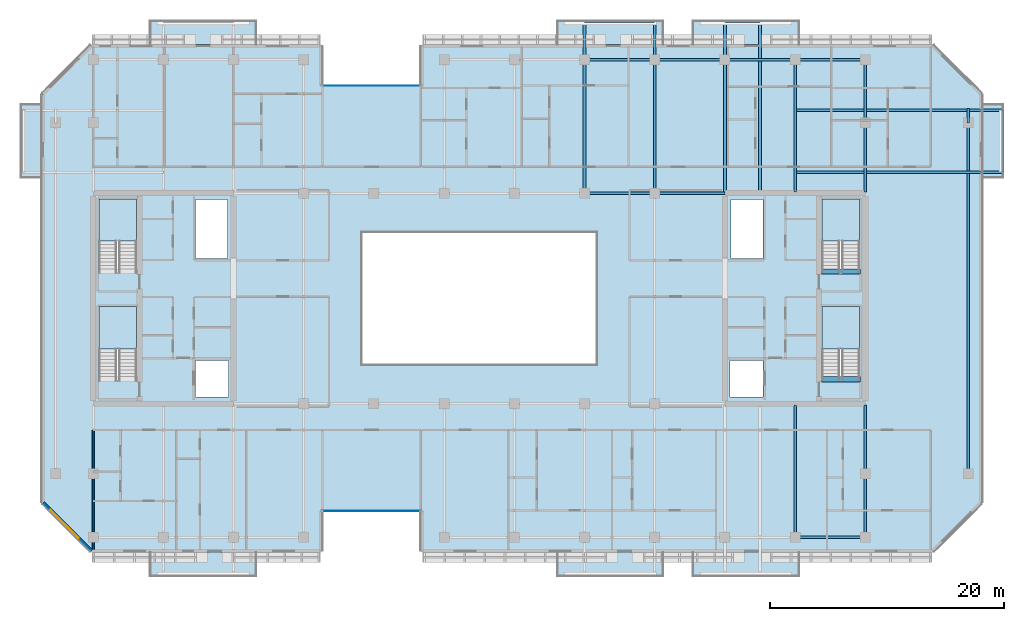
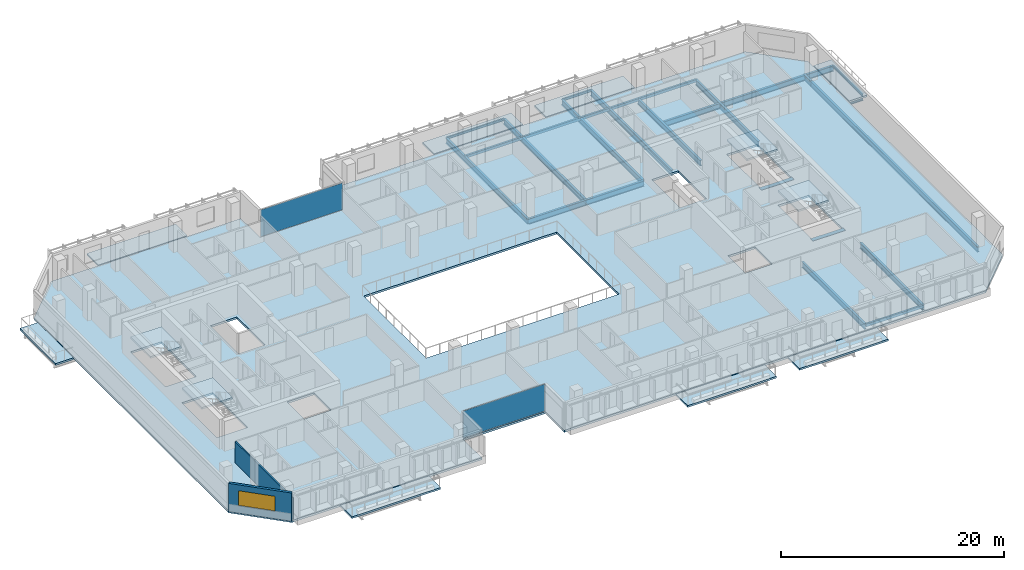
# One storey, part 8 of 21: 24 beams, 13 slabs, 2 plates, 2 walls, 1 window, 1 opening, 6 elements without a shape of their own.
"""IFC4 building model written with IfcOpenShell, lengths in metres."""

from ifc_helpers import new_model, si_unit, direction, frame, frame_2d, origin, origin_2d, place, context, subcontext, project, spatial, polyline, rectangle, hollow_rectangle, i_section, outline, extrude, material, layer, layer_set, material_profile, profile_set, type_object, element, fill, aggregate, save


model = new_model("IFC4")

# Units and contexts
model_context = context("Model", 3, precision=1e-05, world=origin(), true_north=direction((0.0, 1.0)))
body_context = subcontext(model_context, "Body", "Model", "MODEL_VIEW")
ifc_project = project(units=[si_unit("LENGTHUNIT", "METRE"), si_unit("AREAUNIT", "SQUARE_METRE"), si_unit("VOLUMEUNIT", "CUBIC_METRE"), si_unit("PLANEANGLEUNIT", "RADIAN"), si_unit("MASSUNIT", "GRAM", prefix="KILO")], contexts=[model_context])

# Site, building, storey
site_placement = place(None, origin())
site = spatial("IfcSite", under=ifc_project, at=site_placement, CompositionType="ELEMENT")
building_placement = place(site_placement, origin())
building = spatial("IfcBuilding", under=site, at=building_placement, Name="Tanjung Sevakor Pilgrim Tower", CompositionType="ELEMENT")
storey_placement = place(building_placement, frame((0.0, 0.0, 145.199951171875)))
storey = spatial("IfcBuildingStorey", under=building, at=storey_placement, Name="L40", CompositionType="ELEMENT", Elevation=145.199951171875)

# Beams
ifc_material_1 = material(Name="Steel S355J2", Category="steel")
ifc_material_profile_1 = material_profile(ifc_material_1, i_section(OverallWidth=0.230224609375, OverallDepth=0.6171875, WebThickness=0.01318359375, FlangeThickness=0.022216796875, FilletRadius=0.0126953125, at=origin_2d()))
ifc_profile_set_1 = profile_set([ifc_material_profile_1], Name="Steel S355J2")
beam_type_1 = type_object("IfcBeamType", Name="BM-B-G3-UB_610x229x140", PredefinedType="BEAM", material=ifc_profile_set_1)
for number, where, z_axis, x_axis, name in (
    (1, (66.0, 42.60009765625, -0.528564453125), (1.0, 0.0, 0.0), (0.0, 1.0, 0.0), "L40 Primary Floor Girder MAIN Y426-06"),
    (2, (72.0, 42.60009765625, -0.528564453125), (1.0, 0.0, 0.0), (0.0, 1.0, 0.0), "L40 Primary Floor Girder MAIN Y426-07"),
):
    element("IfcBeam", number, at=place(storey_placement, frame(where, z_axis=z_axis, x_axis=x_axis)), inside=storey, type_object=beam_type_1, Name=name, PredefinedType="BEAM", context=body_context, shape_type="SweptSolid", body=[
        extrude(i_section(OverallWidth=0.230224609375, OverallDepth=0.6171875, WebThickness=0.01318359375, FlangeThickness=0.022216796875, FilletRadius=0.0126953125, at=origin_2d()), origin(), (0.0, 0.0, 1.0), 6.0),
    ])
ifc_material_2 = material(Name="Steel S355J2", Category="steel")
ifc_material_profile_2 = material_profile(ifc_material_2, i_section(OverallWidth=0.22900390625, OverallDepth=0.6123046875, WebThickness=0.011962890625, FlangeThickness=0.01953125, FilletRadius=0.0126953125, at=origin_2d()))
ifc_profile_set_2 = profile_set([ifc_material_profile_2], Name="Steel S355J2")
beam_type_2 = type_object("IfcBeamType", Name="BM-B-G4-UB_610x229x125", PredefinedType="BEAM", material=ifc_profile_set_2)
beam_1_placement = place(storey_placement, frame((98.800048828125, 18.60009765625, -0.526123046875), z_axis=(0.0, 1.0, 0.0), x_axis=(-1.0, 0.0, 0.0)))
element("IfcBeam", 3, at=beam_1_placement, inside=storey, type_object=beam_type_2, Name="L40 Short-End Edge Girder E", PredefinedType="BEAM", context=body_context, shape_type="SweptSolid", body=[
    extrude(i_section(OverallWidth=0.22900390625, OverallDepth=0.6123046875, WebThickness=0.011962890625, FlangeThickness=0.01953125, FilletRadius=0.0126953125, at=origin_2d()), origin(), (0.0, 0.0, 1.0), 30.0),
])
beam_2_placement = place(storey_placement, frame((98.800048828125, 48.60009765625, -0.526123046875), z_axis=(0.0, 1.0, 0.0), x_axis=(-1.0, 0.0, 0.0)))
element("IfcBeam", 4, at=beam_2_placement, inside=storey, type_object=beam_type_2, Name="L40 Short-End Edge Extension N-E", PredefinedType="BEAM", context=body_context, shape_type="SweptSolid", body=[
    extrude(i_section(OverallWidth=0.22900390625, OverallDepth=0.6123046875, WebThickness=0.011962890625, FlangeThickness=0.01953125, FilletRadius=0.0126953125, at=origin_2d()), origin(), (0.0, 0.0, 1.0), 1.25),
])
for number, where, z_axis, x_axis, name in (
    (5, (84.0, 44.39990234375, -0.526123046875), (1.0, 0.0, 0.0), (0.0, 1.0, 0.0), "L40 Balcony Overhanging Beam MAIN-E1-1"),
    (6, (84.0, 49.699951171875, -0.526123046875), (1.0, 0.0, 0.0), (0.0, 1.0, 0.0), "L40 Balcony Overhanging Beam MAIN-E1-2"),
):
    element("IfcBeam", number, at=place(storey_placement, frame(where, z_axis=z_axis, x_axis=x_axis)), inside=storey, type_object=beam_type_2, Name=name, PredefinedType="BEAM", context=body_context, shape_type="SweptSolid", body=[
        extrude(i_section(OverallWidth=0.22900390625, OverallDepth=0.6123046875, WebThickness=0.011962890625, FlangeThickness=0.01953125, FilletRadius=0.0126953125, at=origin_2d()), origin(), (0.0, 0.0, 1.0), 17.72998046875),
    ])
for number, where, z_axis, x_axis, name in (
    (7, (66.0, 42.60009765625, -0.526123046875), (0.0, 1.0, 0.0), (-1.0, 0.0, 0.0), "L40 Balcony Cantilever Beam MAIN-N2-1"),
    (8, (72.0, 42.60009765625, -0.526123046875), (0.0, 1.0, 0.0), (-1.0, 0.0, 0.0), "L40 Balcony Cantilever Beam MAIN-N2-2"),
):
    element("IfcBeam", number, at=place(storey_placement, frame(where, z_axis=z_axis, x_axis=x_axis)), inside=storey, type_object=beam_type_2, Name=name, PredefinedType="BEAM", context=body_context, shape_type="SweptSolid", body=[
        extrude(i_section(OverallWidth=0.22900390625, OverallDepth=0.6123046875, WebThickness=0.011962890625, FlangeThickness=0.01953125, FilletRadius=0.0126953125, at=origin_2d()), origin(), (0.0, 0.0, 1.0), 14.679931640625),
    ])
for number, where, z_axis, x_axis, name in (
    (9, (78.0, 42.715087890625, -0.526123046875), (0.0, 1.0, 0.0), (-1.0, 0.0, 0.0), "L40 Balcony Cantilever Beam MAIN-N3-1"),
    (10, (81.0, 42.715087890625, -0.526123046875), (0.0, 1.0, 0.0), (-1.0, 0.0, 0.0), "L40 Balcony Cantilever Beam MAIN-N3-2"),
):
    element("IfcBeam", number, at=place(storey_placement, frame(where, z_axis=z_axis, x_axis=x_axis)), inside=storey, type_object=beam_type_2, Name=name, PredefinedType="BEAM", context=body_context, shape_type="SweptSolid", body=[
        extrude(i_section(OverallWidth=0.22900390625, OverallDepth=0.6123046875, WebThickness=0.011962890625, FlangeThickness=0.01953125, FilletRadius=0.0126953125, at=origin_2d()), origin(), (0.0, 0.0, 1.0), 14.56494140625),
    ])
for number, where, z_axis, x_axis, name in (
    (11, (84.0, 13.199951171875, -0.526123046875), (0.0, 1.0, 0.0), (-1.0, 0.0, 0.0), "L40 MAIN Girder 011"),
    (12, (84.0, 42.715087890625, -0.526123046875), (0.0, 1.0, 0.0), (-1.0, 0.0, 0.0), "L40 MAIN Girder 012"),
    (13, (90.0, 13.199951171875, -0.526123046875), (0.0, 1.0, 0.0), (-1.0, 0.0, 0.0), "L40 MAIN Girder 013"),
    (14, (90.0, 42.715087890625, -0.526123046875), (0.0, 1.0, 0.0), (-1.0, 0.0, 0.0), "L40 MAIN Girder 014"),
):
    element("IfcBeam", number, at=place(storey_placement, frame(where, z_axis=z_axis, x_axis=x_axis)), inside=storey, type_object=beam_type_2, Name=name, PredefinedType="BEAM", context=body_context, shape_type="SweptSolid", body=[
        extrude(i_section(OverallWidth=0.22900390625, OverallDepth=0.6123046875, WebThickness=0.011962890625, FlangeThickness=0.01953125, FilletRadius=0.0126953125, at=origin_2d()), origin(), (0.0, 0.0, 1.0), 11.284912109375),
    ])
ifc_material_3 = material(Name="Steel S355J2", Category="steel")
ifc_material_profile_3 = material_profile(ifc_material_3, i_section(OverallWidth=0.146484375, OverallDepth=0.256103515625, WebThickness=0.00634765625, FlangeThickness=0.010986328125, FilletRadius=0.007568359375, at=origin_2d()))
ifc_profile_set_3 = profile_set([ifc_material_profile_3], Name="Steel S355J2")
beam_type_3 = type_object("IfcBeamType", Name="BM-B-J6-UB_254x146x37", PredefinedType="JOIST", material=ifc_profile_set_3)
beam_3_placement = place(storey_placement, frame((66.0, 57.280029296875, -0.327880859375), z_axis=(1.0, 0.0, 0.0), x_axis=(0.0, 1.0, 0.0)))
element("IfcBeam", 15, at=beam_3_placement, inside=storey, type_object=beam_type_3, Name="L40 Balcony Rim Tie MAIN-N2", PredefinedType="JOIST", context=body_context, shape_type="SweptSolid", body=[
    extrude(i_section(OverallWidth=0.146484375, OverallDepth=0.256103515625, WebThickness=0.00634765625, FlangeThickness=0.010986328125, FilletRadius=0.007568359375, at=origin_2d()), origin(), (0.0, 0.0, 1.0), 6.0),
])
beam_4_placement = place(storey_placement, frame((78.0, 57.280029296875, -0.327880859375), z_axis=(1.0, 0.0, 0.0), x_axis=(0.0, 1.0, 0.0)))
element("IfcBeam", 16, at=beam_4_placement, inside=storey, type_object=beam_type_3, Name="L40 Balcony Rim Tie MAIN-N3", PredefinedType="JOIST", context=body_context, shape_type="SweptSolid", body=[
    extrude(i_section(OverallWidth=0.146484375, OverallDepth=0.256103515625, WebThickness=0.00634765625, FlangeThickness=0.010986328125, FilletRadius=0.007568359375, at=origin_2d()), origin(), (0.0, 0.0, 1.0), 3.0),
])
beam_5_placement = place(storey_placement, frame((101.72998046875, 44.39990234375, -0.327880859375), z_axis=(0.0, 1.0, 0.0), x_axis=(-1.0, 0.0, 0.0)))
element("IfcBeam", 17, at=beam_5_placement, inside=storey, type_object=beam_type_3, Name="L40 Balcony Rim Tie MAIN-E1", PredefinedType="JOIST", context=body_context, shape_type="SweptSolid", body=[
    extrude(i_section(OverallWidth=0.146484375, OverallDepth=0.256103515625, WebThickness=0.00634765625, FlangeThickness=0.010986328125, FilletRadius=0.007568359375, at=origin_2d()), origin(), (0.0, 0.0, 1.0), 5.300048828125),
])
ifc_material_4 = material(Name="Concrete C60/75", Category="concrete")
ifc_material_profile_4 = material_profile(ifc_material_4, rectangle(XDim=0.449951171875, YDim=0.699951171875, at=origin_2d()))
ifc_profile_set_4 = profile_set([ifc_material_profile_4], Name="Concrete C60/75")
beam_type_4 = type_object("IfcBeamType", Name="BM-B-LN3-RC-BM_450x700", PredefinedType="LINTEL", material=ifc_profile_set_4)
for number, where, z_axis, x_axis, name in (
    (18, (86.199951171875, 26.699951171875, -0.349853515625), (1.0, 0.0, 0.0), (0.0, 1.0, 0.0), "L40 TS-E1 Stair Threshold Beam"),
    (19, (86.199951171875, 35.89990234375, -0.349853515625), (1.0, 0.0, 0.0), (0.0, 1.0, 0.0), "L40 TS-E2 Stair Threshold Beam"),
):
    element("IfcBeam", number, at=place(storey_placement, frame(where, z_axis=z_axis, x_axis=x_axis)), inside=storey, type_object=beam_type_4, Name=name, PredefinedType="LINTEL", context=body_context, shape_type="SweptSolid", body=[
        extrude(rectangle(XDim=0.449951171875, YDim=0.699951171875, at=origin_2d()), origin(), (0.0, 0.0, 1.0), 3.400146484375),
    ])
ifc_material_5 = material(Name="Steel S355J2", Category="steel")
ifc_material_profile_5 = material_profile(ifc_material_5, hollow_rectangle(XDim=0.199951171875, YDim=0.300048828125, WallThickness=0.012451171875, at=origin_2d()))
ifc_profile_set_5 = profile_set([ifc_material_profile_5], Name="Steel S355J2")
beam_type_5 = type_object("IfcBeamType", Name="BM-B-SP3-RHS_300x200x12.5", PredefinedType="SPANDREL", material=ifc_profile_set_5)
for number, where, z_axis, x_axis, name in (
    (20, (66.0, 54.0, -0.369873046875), (1.0, 0.0, 0.0), (0.0, 1.0, 0.0), "L40 Spandrel MAIN N-12"),
    (21, (72.0, 54.0, -0.369873046875), (1.0, 0.0, 0.0), (0.0, 1.0, 0.0), "L40 Spandrel MAIN N-14"),
    (22, (78.0, 54.0, -0.369873046875), (1.0, 0.0, 0.0), (0.0, 1.0, 0.0), "L40 Spandrel MAIN N-16"),
    (23, (84.0, 13.199951171875, -0.369873046875), (1.0, 0.0, 0.0), (0.0, 1.0, 0.0), "L40 Spandrel MAIN S-17"),
    (24, (84.0, 54.0, -0.369873046875), (1.0, 0.0, 0.0), (0.0, 1.0, 0.0), "L40 Spandrel MAIN N-18"),
):
    element("IfcBeam", number, at=place(storey_placement, frame(where, z_axis=z_axis, x_axis=x_axis)), inside=storey, type_object=beam_type_5, Name=name, PredefinedType="SPANDREL", context=body_context, shape_type="SweptSolid", body=[
        extrude(hollow_rectangle(XDim=0.199951171875, YDim=0.300048828125, WallThickness=0.012451171875, at=origin_2d()), origin(), (0.0, 0.0, 1.0), 6.0),
    ])

# Slabs
ifc_material_6 = material(Name="Concrete C40/50", Category="concrete")
ifc_layer_1 = layer(ifc_material_6, 0.199951171875)
ifc_layer_set_1 = layer_set([ifc_layer_1], Name="SL-BAL-200")
slab_type_1 = type_object("IfcSlabType", Name="SL-BAL-200", PredefinedType="FLOOR", material=ifc_layer_set_1)
slab_1_placement = place(storey_placement, frame((0.0, 0.0, -0.199951171875)))
element("IfcSlab", 25, at=slab_1_placement, inside=storey, type_object=slab_type_1, Name="L40 Planted Loggia Balcony MAIN-S1", PredefinedType="FLOOR", context=body_context, shape_type="SweptSolid", body=[
    extrude(outline(polyline([(28.800048828125, 9.800048828125), (38.0, 9.800048828125), (38.0, 11.89990234375), (28.800048828125, 11.89990234375), (28.800048828125, 9.800048828125)])), origin(), (0.0, 0.0, 1.0), 0.199951171875),
])
slab_2_placement = place(storey_placement, frame((0.0, 0.0, -0.199951171875)))
element("IfcSlab", 26, at=slab_2_placement, inside=storey, type_object=slab_type_1, Name="L40 Planted Loggia Balcony MAIN-N1", PredefinedType="FLOOR", context=body_context, shape_type="SweptSolid", body=[
    extrude(outline(polyline([(28.800048828125, 55.300048828125), (38.0, 55.300048828125), (38.0, 57.39990234375), (28.800048828125, 57.39990234375), (28.800048828125, 55.300048828125)])), origin(), (0.0, 0.0, 1.0), 0.199951171875),
])
slab_3_placement = place(storey_placement, frame((0.0, 0.0, -0.199951171875)))
element("IfcSlab", 27, at=slab_3_placement, inside=storey, type_object=slab_type_1, Name="L40 Planted Loggia Balcony MAIN-S2", PredefinedType="FLOOR", context=body_context, shape_type="SweptSolid", body=[
    extrude(outline(polyline([(63.60009765625, 9.800048828125), (72.800048828125, 9.800048828125), (72.800048828125, 11.89990234375), (63.60009765625, 11.89990234375), (63.60009765625, 9.800048828125)])), origin(), (0.0, 0.0, 1.0), 0.199951171875),
])
slab_4_placement = place(storey_placement, frame((0.0, 0.0, -0.199951171875)))
element("IfcSlab", 28, at=slab_4_placement, inside=storey, type_object=slab_type_1, Name="L40 Planted Loggia Balcony MAIN-N2", PredefinedType="FLOOR", context=body_context, shape_type="SweptSolid", body=[
    extrude(outline(polyline([(63.60009765625, 55.300048828125), (72.800048828125, 55.300048828125), (72.800048828125, 57.39990234375), (63.60009765625, 57.39990234375), (63.60009765625, 55.300048828125)])), origin(), (0.0, 0.0, 1.0), 0.199951171875),
])
slab_5_placement = place(storey_placement, frame((0.0, 0.0, -0.199951171875)))
element("IfcSlab", 29, at=slab_5_placement, inside=storey, type_object=slab_type_1, Name="L40 Planted Loggia Balcony MAIN-S3", PredefinedType="FLOOR", context=body_context, shape_type="SweptSolid", body=[
    extrude(outline(polyline([(75.199951171875, 9.800048828125), (84.39990234375, 9.800048828125), (84.39990234375, 11.89990234375), (75.199951171875, 11.89990234375), (75.199951171875, 9.800048828125)])), origin(), (0.0, 0.0, 1.0), 0.199951171875),
])
slab_6_placement = place(storey_placement, frame((0.0, 0.0, -0.199951171875)))
element("IfcSlab", 30, at=slab_6_placement, inside=storey, type_object=slab_type_1, Name="L40 Planted Loggia Balcony MAIN-N3", PredefinedType="FLOOR", context=body_context, shape_type="SweptSolid", body=[
    extrude(outline(polyline([(75.199951171875, 55.300048828125), (84.39990234375, 55.300048828125), (84.39990234375, 57.39990234375), (75.199951171875, 57.39990234375), (75.199951171875, 55.300048828125)])), origin(), (0.0, 0.0, 1.0), 0.199951171875),
])
slab_7_placement = place(storey_placement, frame((0.0, 0.0, -0.199951171875)))
element("IfcSlab", 31, at=slab_7_placement, inside=storey, type_object=slab_type_1, Name="L40 Planted Loggia Balcony MAIN-W1", PredefinedType="FLOOR", context=body_context, shape_type="SweptSolid", body=[
    extrude(outline(polyline([(17.75, 43.85009765625), (19.60009765625, 43.85009765625), (19.60009765625, 50.25), (17.75, 50.25), (17.75, 43.85009765625)])), origin(), (0.0, 0.0, 1.0), 0.199951171875),
])
slab_8_placement = place(storey_placement, frame((0.0, 0.0, -0.199951171875)))
element("IfcSlab", 32, at=slab_8_placement, inside=storey, type_object=slab_type_1, Name="L40 Planted Loggia Balcony MAIN-E1", PredefinedType="FLOOR", context=body_context, shape_type="SweptSolid", body=[
    extrude(outline(polyline([(100.0, 43.85009765625), (101.85009765625, 43.85009765625), (101.85009765625, 50.25), (100.0, 50.25), (100.0, 43.85009765625)])), origin(), (0.0, 0.0, 1.0), 0.199951171875),
])

# Stair, slab
ifc_material_7 = material(Name="Concrete C40/50", Category="concrete")
stair_type = type_object("IfcStairType", Name="STAIR-ST-CR150", PredefinedType="HALF_TURN_STAIR", material=ifc_material_7)
stair_1_placement = place(storey_placement, origin())
stair_1 = element("IfcStair", 33, at=stair_1_placement, inside=storey, type_object=stair_type, Name="L40 West Core Exit Stair 1", PredefinedType="HALF_TURN_STAIR")
ifc_material_8 = material(Name="Concrete C40/50", Category="concrete")
ifc_layer_2 = layer(ifc_material_8, 0.199951171875)
ifc_layer_set_2 = layer_set([ifc_layer_2], Name="SL-LAND-200")
slab_type_2 = type_object("IfcSlabType", Name="SL-LAND-200", PredefinedType="LANDING", material=ifc_layer_set_2)
slab_9_placement = place(storey_placement, frame((0.0, 0.0, 1.449951171875)))
slab_9 = element("IfcSlab", 34, at=slab_9_placement, type_object=slab_type_2, Name="TS-W1 landing 1", PredefinedType="LANDING", context=body_context, shape_type="SweptSolid", body=[
    extrude(outline(polyline([(27.699951171875, 29.300048828125), (27.699951171875, 32.89990234375), (24.5, 32.89990234375), (24.5, 29.300048828125), (27.699951171875, 29.300048828125)])), origin(), (0.0, 0.0, 1.0), 0.2001953125),
])
aggregate(stair_1, [slab_9])

stair_2_placement = place(storey_placement, origin())
stair_2 = element("IfcStair", 35, at=stair_2_placement, inside=storey, type_object=stair_type, Name="L40 West Core Exit Stair 2", PredefinedType="HALF_TURN_STAIR")
slab_10_placement = place(storey_placement, frame((0.0, 0.0, 1.449951171875)))
slab_10 = element("IfcSlab", 36, at=slab_10_placement, type_object=slab_type_2, Name="TS-W2 landing 1", PredefinedType="LANDING", context=body_context, shape_type="SweptSolid", body=[
    extrude(outline(polyline([(27.699951171875, 38.5), (27.699951171875, 42.10009765625), (24.5, 42.10009765625), (24.5, 38.5), (27.699951171875, 38.5)])), origin(), (0.0, 0.0, 1.0), 0.2001953125),
])
aggregate(stair_2, [slab_10])

stair_3_placement = place(storey_placement, origin())
stair_3 = element("IfcStair", 37, at=stair_3_placement, inside=storey, type_object=stair_type, Name="L40 East Core Exit Stair 1", PredefinedType="HALF_TURN_STAIR")
slab_11_placement = place(storey_placement, frame((0.0, 0.0, 1.449951171875)))
slab_11 = element("IfcSlab", 38, at=slab_11_placement, type_object=slab_type_2, Name="TS-E1 landing 1", PredefinedType="LANDING", context=body_context, shape_type="SweptSolid", body=[
    extrude(outline(polyline([(89.5, 29.300048828125), (89.5, 32.89990234375), (86.300048828125, 32.89990234375), (86.300048828125, 29.300048828125), (89.5, 29.300048828125)])), origin(), (0.0, 0.0, 1.0), 0.2001953125),
])
aggregate(stair_3, [slab_11])

stair_4_placement = place(storey_placement, origin())
stair_4 = element("IfcStair", 39, at=stair_4_placement, inside=storey, type_object=stair_type, Name="L40 East Core Exit Stair 2", PredefinedType="HALF_TURN_STAIR")
slab_12_placement = place(storey_placement, frame((0.0, 0.0, 1.449951171875)))
slab_12 = element("IfcSlab", 40, at=slab_12_placement, type_object=slab_type_2, Name="TS-E2 landing 1", PredefinedType="LANDING", context=body_context, shape_type="SweptSolid", body=[
    extrude(outline(polyline([(89.5, 38.5), (89.5, 42.10009765625), (86.300048828125, 42.10009765625), (86.300048828125, 38.5), (89.5, 38.5)])), origin(), (0.0, 0.0, 1.0), 0.2001953125),
])
aggregate(stair_4, [slab_12])

# Slab
ifc_material_9 = material(Name="Concrete C40/50", Category="concrete")
ifc_layer_3 = layer(ifc_material_9, 0.219970703125)
ifc_layer_set_3 = layer_set([ifc_layer_3], Name="SL-TWR-220")
slab_type_3 = type_object("IfcSlabType", Name="SL-TWR-220", PredefinedType="FLOOR", material=ifc_layer_set_3)
slab_13_placement = place(storey_placement, frame((0.0, 0.0, -0.219970703125)))
element("IfcSlab", 41, at=slab_13_placement, inside=storey, type_object=slab_type_3, Name="L40 Floor Slab MAIN", PredefinedType="FLOOR", context=body_context, shape_type="SweptSolid", body=[
    extrude(outline(polyline([(23.846923828125, 11.97998046875), (43.52001953125, 11.97998046875), (43.52001953125, 15.3798828125), (52.080078125, 15.3798828125), (52.080078125, 11.97998046875), (95.753173828125, 11.97998046875), (99.919921875, 16.14697265625), (99.919921875, 51.052978515625), (95.753173828125, 55.219970703125), (52.080078125, 55.219970703125), (52.080078125, 51.820068359375), (43.52001953125, 51.820068359375), (43.52001953125, 55.219970703125), (23.846923828125, 55.219970703125), (19.679931640625, 51.052978515625), (19.679931640625, 16.14697265625), (23.846923828125, 11.97998046875)]), holes=[polyline([(27.699951171875, 26.60009765625), (27.699951171875, 32.89990234375), (24.5, 32.89990234375), (24.5, 26.60009765625), (27.699951171875, 26.60009765625)]), polyline([(27.699951171875, 35.800048828125), (27.699951171875, 42.10009765625), (24.5, 42.10009765625), (24.5, 35.800048828125), (27.699951171875, 35.800048828125)]), polyline([(89.5, 26.60009765625), (89.5, 32.89990234375), (86.300048828125, 32.89990234375), (86.300048828125, 26.60009765625), (89.5, 26.60009765625)]), polyline([(89.5, 35.800048828125), (89.5, 42.10009765625), (86.300048828125, 42.10009765625), (86.300048828125, 35.800048828125), (89.5, 35.800048828125)]), polyline([(32.75, 25.199951171875), (35.550048828125, 25.199951171875), (35.550048828125, 28.300048828125), (32.75, 28.300048828125), (32.75, 25.199951171875)]), polyline([(32.75, 37.0), (35.5, 37.0), (35.5, 42.050048828125), (32.75, 42.050048828125), (32.75, 37.0)]), polyline([(78.449951171875, 25.199951171875), (81.25, 25.199951171875), (81.25, 28.300048828125), (78.449951171875, 28.300048828125), (78.449951171875, 25.199951171875)]), polyline([(78.5, 37.0), (81.25, 37.0), (81.25, 42.050048828125), (78.5, 42.050048828125), (78.5, 37.0)]), polyline([(47.0, 28.0), (67.0, 28.0), (67.0, 39.199951171875), (47.0, 39.199951171875), (47.0, 28.0)])]), origin(), (0.0, 0.0, 1.0), 0.219970703125),
])

# Curtain wall, plate
ifc_material_10 = material(Name="Aluminium 6063-T6 and Low-E Glass", Category="aluminium")
ifc_layer_4 = layer(ifc_material_10, 0.179931640625)
ifc_layer_set_4 = layer_set([ifc_layer_4], Name="CW-SYS-CLEFT")
curtain_wall_type = type_object("IfcCurtainWallType", Name="CW-SYS-CLEFT", PredefinedType="NOTDEFINED", material=ifc_layer_set_4)
curtain_wall_1_placement = place(storey_placement, origin())
curtain_wall_1 = element("IfcCurtainWall", 42, at=curtain_wall_1_placement, inside=storey, type_object=curtain_wall_type, Name="L40 Curtain Wall CW-CLF-L40-2", PredefinedType="NOTDEFINED")
ifc_material_11 = material(Name="Laminated Low-E Double Glazing", Category="glass")
ifc_layer_5 = layer(ifc_material_11, 0.028076171875)
ifc_layer_set_5 = layer_set([ifc_layer_5], Name="TYPE-CWP-GLZ1")
plate_type = type_object("IfcPlateType", Name="TYPE-CWP-GLZ1", PredefinedType="CURTAIN_PANEL", material=ifc_layer_set_5)
plate_1_placement = place(storey_placement, frame((47.800048828125, 15.425048828125, 0.06494140625), z_axis=(0.0, 0.0, 1.0), x_axis=(1.0, 0.0, 0.0)))
plate_1 = element("IfcPlate", 43, at=plate_1_placement, type_object=plate_type, Name="CW-CLF panel 1.1", PredefinedType="CURTAIN_PANEL", context=body_context, shape_type="SweptSolid", body=[
    extrude(rectangle(XDim=8.5, YDim=0.028076171875, at=origin_2d()), origin(), (0.0, 0.0, 1.0), 2.949951171875),
])
aggregate(curtain_wall_1, [plate_1])

curtain_wall_2_placement = place(storey_placement, origin())
curtain_wall_2 = element("IfcCurtainWall", 44, at=curtain_wall_2_placement, inside=storey, type_object=curtain_wall_type, Name="L40 Curtain Wall CW-CLF-L40-10", PredefinedType="NOTDEFINED")
plate_2_placement = place(storey_placement, frame((47.800048828125, 51.77490234375, 0.06494140625), z_axis=(0.0, 0.0, 1.0), x_axis=(-1.0, 0.0, 0.0)))
plate_2 = element("IfcPlate", 45, at=plate_2_placement, type_object=plate_type, Name="CW-CLF panel 1.1", PredefinedType="CURTAIN_PANEL", context=body_context, shape_type="SweptSolid", body=[
    extrude(rectangle(XDim=8.5, YDim=0.028076171875, at=origin_2d()), origin(), (0.0, 0.0, 1.0), 2.949951171875),
])
aggregate(curtain_wall_2, [plate_2])

# Wall
ifc_material_12 = material(Name="Concrete C40/50", Category="concrete")
ifc_layer_6 = layer(ifc_material_12, 0.14990234375)
ifc_layer_set_6 = layer_set([ifc_layer_6], Name="WT-COMP-150")
wall_type_1 = type_object("IfcWallType", Name="WT-COMP-150", PredefinedType="SOLIDWALL", material=ifc_layer_set_6)
wall_1_placement = place(storey_placement, frame((24.0, 12.14990234375, 0.0), z_axis=(0.0, 0.0, 1.0), x_axis=(0.0, 1.0, 0.0)))
element("IfcWall", 46, at=wall_1_placement, inside=storey, type_object=wall_type_1, Name="L40 Partition IW-L40-045", PredefinedType="SOLIDWALL", context=body_context, shape_type="SweptSolid", body=[
    extrude(rectangle(XDim=10.2001953125, YDim=0.14990234375, at=frame_2d((5.10009765625, 0.0))), origin(), (0.0, 0.0, 1.0), 2.35009765625),
])

# Wall, opening, window
ifc_material_13 = material(Name="Precast concrete C45/55", Category="concrete")
ifc_layer_7 = layer(ifc_material_13, 0.25)
ifc_layer_set_7 = layer_set([ifc_layer_7], Name="WT-EW-STN3")
wall_type_2 = type_object("IfcWallType", Name="WT-EW-STN3", PredefinedType="SOLIDWALL", material=ifc_layer_set_7)
wall_2_placement = place(storey_placement, frame((19.72509765625, 16.15185546875, 0.0), z_axis=(0.0, 0.0, 1.0), x_axis=(0.70708586489, -0.707127696864, 0.0)))
wall_2 = element("IfcWall", 47, at=wall_2_placement, inside=storey, type_object=wall_type_2, Name="L40 MAIN Sculpted Corner Wall 15", PredefinedType="SOLIDWALL", context=body_context, shape_type="SweptSolid", body=[
    extrude(rectangle(XDim=5.836181640625, YDim=0.25, at=frame_2d((2.91796875, 0.0))), origin(), (0.0, 0.0, 1.0), 3.080078125),
])
opening_placement = place(wall_2_placement, frame((0.898193359375, 0.0, 0.780029296875)))
opening = element("IfcOpeningElement", 48, at=opening_placement, cuts=wall_2, Name="Opening WN-CHM-1660", PredefinedType="OPENING", context=body_context, shape_type="SweptSolid", body=[
    extrude(rectangle(XDim=3.39990234375, YDim=1.659912109375, at=frame_2d((1.699951171875, 0.830078125))), frame((0.0, 0.135009765625, 0.0), z_axis=(0.0, -1.0, 0.0), x_axis=(1.0, 0.0, 0.0)), (0.0, 0.0, 1.0), 0.27001953125),
])
ifc_material_14 = material(Name="Thermally Broken Aluminium and Low-E Glass", Category="aluminium")
window_type = type_object("IfcWindowType", Name="WTYP-WN-CHM-1660", PartitioningType="DOUBLE_PANEL_VERTICAL", PredefinedType="WINDOW", material=ifc_material_14)
window_placement = place(opening_placement, origin())
window = element("IfcWindow", 49, at=window_placement, inside=storey, type_object=window_type, Name="L40 Facade Window 01", OverallHeight=1.659912109375, OverallWidth=3.39990234375, PartitioningType="SINGLE_PANEL", PredefinedType="WINDOW", context=body_context, shape_type="SweptSolid", body=[
    extrude(rectangle(XDim=3.39990234375, YDim=1.659912109375, at=frame_2d((1.699951171875, 0.830078125))), frame((0.0, 0.030029296875, 0.0), z_axis=(0.0, -1.0, 0.0), x_axis=(1.0, 0.0, 0.0)), (0.0, 0.0, 1.0), 0.06005859375),
])
fill(opening, window)

save(model, "model.ifc")
